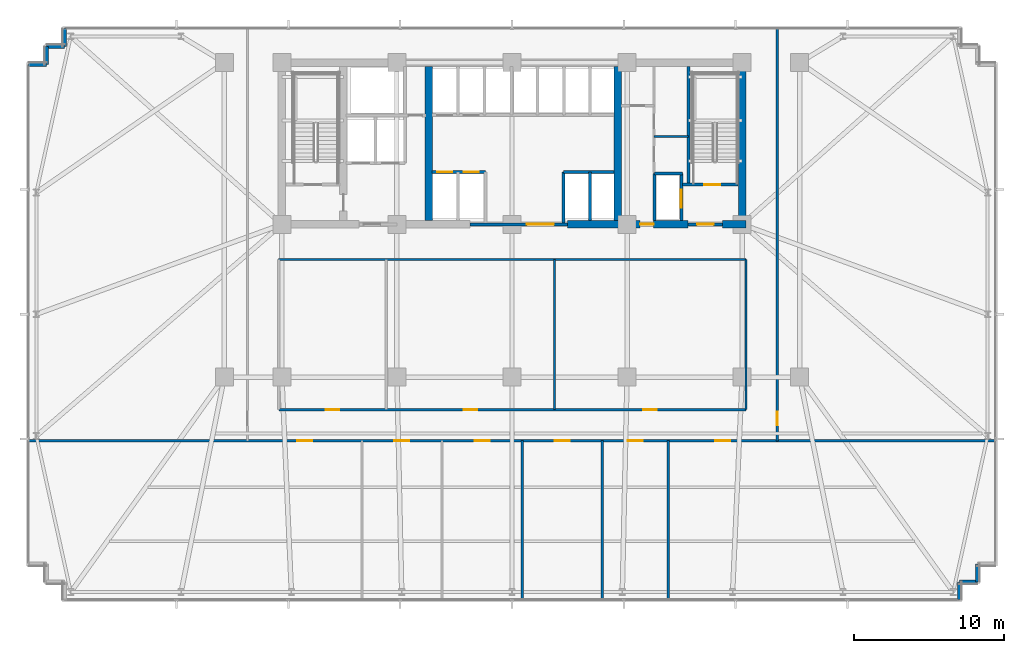
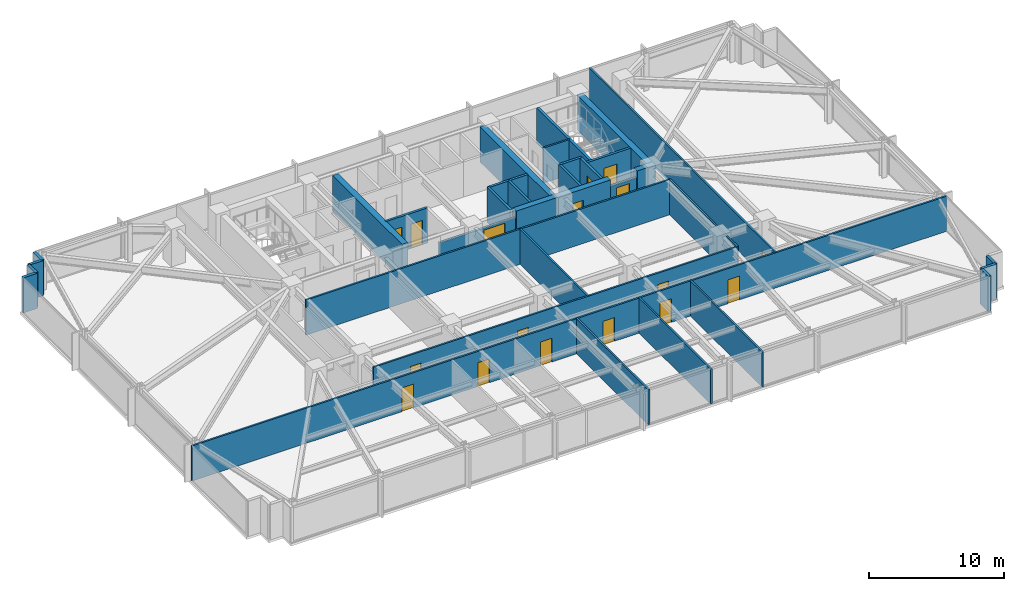
# One storey, part 25 of 32: 33 walls, 17 doors, 17 openings.
"""IFC4 building model written with IfcOpenShell, lengths in metres."""

import ifcopenshell
import ifcopenshell.guid

model = None  # the IFC model being written
_history = None  # IfcOwnerHistory: only IFC2X3 demands one
_inside = {}  # id of a spatial element -> (the spatial element, [elements in it])
_under = {}  # id of a project, library or spatial element -> (it, [spatial elements below it])
_declared = {}  # id of a project -> (the project, [libraries it declares])
_typed = {}  # id of a type object -> (the type object, [elements of that type])
_made_of = {}  # id of a material, layer set ... -> (it, [elements and type objects made of it])


def new_model(schema):
    """Start an empty IFC model of exactly this schema.

    Asked for "IFC4X3", IfcOpenShell would pick the latest addendum, in which some entities
    have other attributes; the version numbers below select the first issue.
    IFC2X3 requires an IfcOwnerHistory on every rooted entity: one is made here for all.
    """
    global model, _history
    if schema == "IFC4X3":
        model = ifcopenshell.file(schema_version=(4, 3, 0, 0))
    else:
        model = ifcopenshell.file(schema=schema)
    _inside.clear()
    _under.clear()
    _declared.clear()
    _typed.clear()
    _made_of.clear()
    _history = None
    if model.schema == "IFC2X3":
        org = make("IfcOrganization", Name="unknown")
        user = make(
            "IfcPersonAndOrganization",
            ThePerson=make("IfcPerson", FamilyName="unknown"),
            TheOrganization=org,
        )
        app = make(
            "IfcApplication",
            ApplicationDeveloper=org,
            Version="unknown",
            ApplicationFullName="unknown",
            ApplicationIdentifier="unknown",
        )
        _history = make(
            "IfcOwnerHistory",
            OwningUser=user,
            OwningApplication=app,
            ChangeAction="ADDED",
            CreationDate=0,
        )
    return model


def make(cls, **values):
    """One entity of the class cls with the attributes given. An attribute that is None is left unset."""
    return model.create_entity(
        cls, **{name: value for name, value in values.items() if value is not None}
    )


def rooted(cls, **values):
    """An entity with a GlobalId (a new one), such as an element, a storey or a relation."""
    return make(cls, GlobalId=ifcopenshell.guid.new(), OwnerHistory=_history, **values)


def si_unit(unit_type, name, prefix=None):
    """IfcSIUnit, for example si_unit("LENGTHUNIT", "METRE", prefix="MILLI")."""
    return make("IfcSIUnit", UnitType=unit_type, Prefix=prefix, Name=name)


def assignment(units):
    """IfcUnitAssignment: the units of a project."""
    return None if units is None else make("IfcUnitAssignment", Units=units)


def point(xyz):
    """IfcCartesianPoint."""
    return None if xyz is None else make("IfcCartesianPoint", Coordinates=xyz)


def direction(xyz):
    """IfcDirection."""
    return None if xyz is None else make("IfcDirection", DirectionRatios=xyz)


def frame(location, z_axis=None, x_axis=None):
    """IfcAxis2Placement3D, a coordinate frame: its origin and axes. An axis left out is left unset."""
    return make(
        "IfcAxis2Placement3D",
        Location=point(location),
        Axis=direction(z_axis),
        RefDirection=direction(x_axis),
    )


def frame_2d(location, x_axis=None):
    """IfcAxis2Placement2D, a coordinate frame in the plane: its origin and x axis."""
    return make(
        "IfcAxis2Placement2D", Location=point(location), RefDirection=direction(x_axis)
    )


def origin():
    """The frame at (0, 0, 0) with its axes left unset."""
    return frame((0.0, 0.0, 0.0))


def place(relative_to, where):
    """IfcLocalPlacement: puts the frame where relative to a parent placement (None: the world)."""
    return make(
        "IfcLocalPlacement", PlacementRelTo=relative_to, RelativePlacement=where
    )


def context(
    kind, dimensions, precision=None, world=None, true_north=None, identifier=None
):
    """IfcGeometricRepresentationContext, for example the 3D "Model" context."""
    return make(
        "IfcGeometricRepresentationContext",
        ContextIdentifier=identifier,
        ContextType=kind,
        CoordinateSpaceDimension=dimensions,
        Precision=precision,
        WorldCoordinateSystem=world,
        TrueNorth=true_north,
    )


def subcontext(parent, identifier, kind, view, scale=None):
    """IfcGeometricRepresentationSubContext, for example "Body" below "Model"."""
    return make(
        "IfcGeometricRepresentationSubContext",
        ContextIdentifier=identifier,
        ContextType=kind,
        ParentContext=parent,
        TargetScale=scale,
        TargetView=view,
    )


def project(units=None, contexts=None):
    """IfcProject with its units and contexts."""
    return rooted(
        "IfcProject",
        Name="project",
        RepresentationContexts=contexts,
        UnitsInContext=assignment(units),
    )


def spatial(cls, under=None, at=None, **own):
    """A site, building, storey or space (cls), placed at a placement, below another one or the project."""
    s = rooted(cls, ObjectPlacement=at, **own)
    if under is not None:
        _under.setdefault(under.id(), (under, []))[1].append(s)
    return s


def profile(cls, at=None, kind="AREA", **sizes):
    """A parametric profile (cls). Its sizes go by their IFC names, for example OverallWidth=200.0."""
    return make(cls, ProfileType=kind, Position=at, **sizes)


def rectangle(**sizes):
    """IfcRectangleProfileDef."""
    return profile("IfcRectangleProfileDef", **sizes)


def extrude(swept, where, along, depth):
    """IfcExtrudedAreaSolid: the profile swept, set in the frame where, extruded along a direction by depth."""
    return make(
        "IfcExtrudedAreaSolid",
        SweptArea=swept,
        Position=where,
        ExtrudedDirection=direction(along),
        Depth=depth,
    )


def shape(context_of_items, identifier, shape_type, items):
    """IfcShapeRepresentation: the items that make up one representation, for example the "Body"."""
    return make(
        "IfcShapeRepresentation",
        ContextOfItems=context_of_items,
        RepresentationIdentifier=identifier,
        RepresentationType=shape_type,
        Items=items,
    )


def material(Name=None, Category=None):
    """IfcMaterial."""
    return make("IfcMaterial", Name=Name, Category=Category)


def layer(
    of_material, thickness, ventilated=None, Name=None, Category=None, Priority=None
):
    """IfcMaterialLayer: one layer of a wall or slab, of a material (None: an air gap)."""
    return make(
        "IfcMaterialLayer",
        Material=of_material,
        LayerThickness=thickness,
        IsVentilated=ventilated,
        Name=Name,
        Category=Category,
        Priority=Priority,
    )


def layer_set(layers, Name=None):
    """IfcMaterialLayerSet."""
    return make("IfcMaterialLayerSet", MaterialLayers=layers, LayerSetName=Name)


def made_of(thing, what):
    """Note that an element or type object is made of a material, layer set ...; save() writes the relation."""
    if what is not None:
        _made_of.setdefault(what.id(), (what, []))[1].append(thing)
    return thing


def type_object(cls, material=None, **own):
    """A type object (cls), such as IfcWallType, which elements share."""
    return made_of(rooted(cls, **own), material)


def element(
    cls,
    number,
    at=None,
    inside=None,
    cuts=None,
    type_object=None,
    material=None,
    context=None,
    identifier="Body",
    shape_type=None,
    held_by="IfcProductDefinitionShape",
    body=None,
    shapes=None,
    **own,
):
    """One element of the class cls, such as IfcWall. Its Tag is "e" and its number.

    at: its placement. inside: the storey or other place that contains it. cuts: it is an
    opening in that element (IfcRelVoidsElement). A single representation is given by context,
    identifier, shape_type and body (its items); several are given by shapes. held_by: the class
    of the entity that holds the representations. save() writes the other relations.
    """
    e = rooted(cls, Tag="e%d" % number, ObjectPlacement=at, **own)
    if body is not None:
        shapes = [shape(context, identifier, shape_type, body)]
    if shapes is not None:
        e.Representation = make(held_by, Representations=shapes)
    if inside is not None:
        _inside.setdefault(inside.id(), (inside, []))[1].append(e)
    if cuts is not None:
        rooted(
            "IfcRelVoidsElement", RelatingBuildingElement=cuts, RelatedOpeningElement=e
        )
    if type_object is not None:
        _typed.setdefault(type_object.id(), (type_object, []))[1].append(e)
    return made_of(e, material)


def fill(opening, filler):
    """IfcRelFillsElement: the door or window that sits in an opening."""
    return rooted(
        "IfcRelFillsElement",
        RelatingOpeningElement=opening,
        RelatedBuildingElement=filler,
    )


def aggregate(whole, parts):
    """IfcRelAggregates: a whole, such as a stair, and the parts it consists of."""
    return rooted("IfcRelAggregates", RelatingObject=whole, RelatedObjects=parts)


def save(model, path):
    """Write the relations noted so far, then the file.

    IfcRelAggregates (storeys below a building ...), IfcRelContainedInSpatialStructure (elements
    in a storey), IfcRelDefinesByType, IfcRelAssociatesMaterial and IfcRelDeclares: one each for
    every whole, place, type object, material and project.
    """
    for whole, parts in _under.values():
        aggregate(whole, parts)
    for where, things in _inside.values():
        rooted(
            "IfcRelContainedInSpatialStructure",
            RelatedElements=things,
            RelatingStructure=where,
        )
    for kind, things in _typed.values():
        rooted("IfcRelDefinesByType", RelatedObjects=things, RelatingType=kind)
    for what, things in _made_of.values():
        rooted("IfcRelAssociatesMaterial", RelatedObjects=things, RelatingMaterial=what)
    for by, libraries in _declared.values():
        rooted("IfcRelDeclares", RelatingContext=by, RelatedDefinitions=libraries)
    model.write(path)


model = new_model("IFC4")

# Units and contexts
model_context = context("Model", 3, precision=1e-05, world=origin(), true_north=direction((0.0, 1.0)))
body_context = subcontext(model_context, "Body", "Model", "MODEL_VIEW")
ifc_project = project(units=[si_unit("LENGTHUNIT", "METRE"), si_unit("AREAUNIT", "SQUARE_METRE"), si_unit("VOLUMEUNIT", "CUBIC_METRE"), si_unit("PLANEANGLEUNIT", "RADIAN"), si_unit("MASSUNIT", "GRAM", prefix="KILO")], contexts=[model_context])

# Site, building, storey
site_placement = place(None, origin())
site = spatial("IfcSite", under=ifc_project, at=site_placement, CompositionType="ELEMENT")
building_placement = place(site_placement, origin())
building = spatial("IfcBuilding", under=site, at=building_placement, Name="Yelkora Congress Tower", CompositionType="ELEMENT")
storey_placement = place(building_placement, frame((0.0, 0.0, 44.0)))
storey = spatial("IfcBuildingStorey", under=building, at=storey_placement, Name="L10", CompositionType="ELEMENT", Elevation=44.0)

# Wall
ifc_material_1 = material(Name="Concrete C50/60", Category="concrete")
ifc_layer_1 = layer(ifc_material_1, 0.219970703125)
ifc_layer_set_1 = layer_set([ifc_layer_1], Name="Concrete C50/60")
wall_type_1 = type_object("IfcWallType", Name="WALL-CORE-INT-220", PredefinedType="SHEAR", material=ifc_layer_set_1)
wall_1_placement = place(storey_placement, frame((50.179931640625, 38.050048828125, 0.0), z_axis=(0.0, 0.0, 1.0), x_axis=(0.0, 1.0, 0.0)))
element("IfcWall", 1, at=wall_1_placement, inside=storey, type_object=wall_type_1, Name="L10 ST02 West Stair Shear Wall", PredefinedType="SHEAR", context=body_context, shape_type="SweptSolid", body=[
    extrude(rectangle(XDim=7.89990234375, YDim=0.219970703125, at=frame_2d((3.949951171875, 0.0))), origin(), (0.0, 0.0, 1.0), 3.179931640625),
])

# Wall, opening, door
ifc_material_2 = material(Name="Concrete C60/75", Category="concrete")
ifc_layer_2 = layer(ifc_material_2, 0.5)
ifc_layer_set_2 = layer_set([ifc_layer_2], Name="Concrete C60/75")
wall_type_2 = type_object("IfcWallType", Name="WALL-CORE-INT-500", PredefinedType="SHEAR", material=ifc_layer_set_2)
wall_2_placement = place(storey_placement, frame((42.10009765625, 35.39990234375, 0.0), z_axis=(0.0, 0.0, 1.0), x_axis=(1.0, 0.0, 0.0)))
wall_2 = element("IfcWall", 2, at=wall_2_placement, inside=storey, type_object=wall_type_2, Name="L10 Rear Core South-East Shear Wall A", PredefinedType="SHEAR", context=body_context, shape_type="SweptSolid", body=[
    extrude(rectangle(XDim=8.0498046875, YDim=0.5, at=frame_2d((4.02490234375, 0.0))), origin(), (0.0, 0.0, 1.0), 3.179931640625),
])
opening_1_placement = place(wall_2_placement, frame((4.85009765625, 0.0, 0.0)))
opening_1 = element("IfcOpeningElement", 3, at=opening_1_placement, cuts=wall_2, Name="Opening DR-090F6", PredefinedType="OPENING", context=body_context, shape_type="SweptSolid", body=[
    extrude(rectangle(XDim=0.89990234375, YDim=2.14990234375, at=frame_2d((0.449951171875, 1.074951171875))), frame((0.0, 0.260009765625, 0.0), z_axis=(0.0, -1.0, 0.0), x_axis=(1.0, 0.0, 0.0)), (0.0, 0.0, 1.0), 0.52001953125),
])
ifc_material_3 = material(Name="Painted steel riser fire door leaf", Category="steel")
door_type_1 = type_object("IfcDoorType", Name="DOOR-FD60-900", OperationType="NOTDEFINED", PredefinedType="DOOR", material=ifc_material_3)
door_1_placement = place(opening_1_placement, origin())
door_1 = element("IfcDoor", 4, at=door_1_placement, inside=storey, type_object=door_type_1, Name="L10 Core Washroom Lobby Door", OperationType="SINGLE_SWING_RIGHT", OverallHeight=2.14990234375, OverallWidth=0.89990234375, PredefinedType="DOOR", context=body_context, shape_type="SweptSolid", body=[
    extrude(rectangle(XDim=0.89990234375, YDim=2.14990234375, at=frame_2d((0.449951171875, 1.074951171875))), frame((0.0, 0.02490234375, 0.0), z_axis=(0.0, -1.0, 0.0), x_axis=(1.0, 0.0, 0.0)), (0.0, 0.0, 1.0), 0.050048828125),
])
fill(opening_1, door_1)

# Walls
wall_3_placement = place(storey_placement, frame((52.449951171875, 35.39990234375, 0.0), z_axis=(0.0, 0.0, 1.0), x_axis=(1.0, 0.0, 0.0)))
element("IfcWall", 5, at=wall_3_placement, inside=storey, type_object=wall_type_2, Name="L10 Rear Core South-East Shear Wall B", PredefinedType="SHEAR", context=body_context, shape_type="SweptSolid", body=[
    extrude(rectangle(XDim=1.56005859375, YDim=0.5, at=frame_2d((0.780029296875, 0.0))), origin(), (0.0, 0.0, 1.0), 3.179931640625),
])
for number, where, z_axis, x_axis, name in (
    (6, (32.85009765625, 35.64990234375, 0.0), (0.0, 0.0, 1.0), (0.0, 1.0, 0.0), "L10 Rear Core Cross Shear Wall C2"),
    (7, (45.449951171875, 35.64990234375, 0.0), (0.0, 0.0, 1.0), (0.0, 1.0, 0.0), "L10 Rear Core Cross Shear Wall C3"),
    (8, (53.760009765625, 35.64990234375, 0.0), (0.0, 0.0, 1.0), (0.0, 1.0, 0.0), "L10 Rear Core Cross Shear Wall E"),
):
    element("IfcWall", number, at=place(storey_placement, frame(where, z_axis=z_axis, x_axis=x_axis)), inside=storey, type_object=wall_type_2, Name=name, PredefinedType="SHEAR", context=body_context, shape_type="SweptSolid", body=[
        extrude(rectangle(XDim=10.300048828125, YDim=0.5, at=frame_2d((5.14990234375, 0.0))), origin(), (0.0, 0.0, 1.0), 3.179931640625),
    ])
ifc_material_4 = material(Name="Concrete C40/50", Category="concrete")
ifc_layer_3 = layer(ifc_material_4, 0.239990234375)
ifc_layer_set_3 = layer_set([ifc_layer_3], Name="Concrete C40/50")
wall_type_3 = type_object("IfcWallType", Name="WALL-EXT-LIMESTONE-240", PredefinedType="SOLIDWALL", material=ifc_layer_set_3)
wall_4_placement = place(storey_placement, frame((6.139892578125, 46.06005859375, 0.0), z_axis=(0.0, 0.0, 1.0), x_axis=(1.0, 0.0, 0.0)))
element("IfcWall", 9, at=wall_4_placement, inside=storey, type_object=wall_type_3, Name="L10 Serrated Corner Limestone Pier 6", PredefinedType="SOLIDWALL", context=body_context, shape_type="SweptSolid", body=[
    extrude(rectangle(XDim=1.2001953125, YDim=0.239990234375, at=frame_2d((0.60009765625, 0.0))), origin(), (0.0, 0.0, 1.0), 3.179931640625),
])
for number, where, z_axis, x_axis, name in (
    (10, (7.340087890625, 46.06005859375, 0.0), (0.0, 0.0, 1.0), (0.0, 1.0, 0.0), "L10 Serrated Corner Limestone Pier 7"),
    (11, (7.340087890625, 47.260009765625, 0.0), (0.0, 0.0, 1.0), (1.0, 0.0, 0.0), "L10 Serrated Corner Limestone Pier 8"),
    (12, (8.5400390625, 47.260009765625, 0.0), (0.0, 0.0, 1.0), (0.0, 1.0, 0.0), "L10 Serrated Corner Limestone Pier 9"),
    (13, (69.4599609375, 12.739990234375, 0.0), (0.0, 0.0, 1.0), (0.0, -1.0, 0.0), "L10 Serrated Corner Limestone Pier 17"),
    (14, (69.4599609375, 11.5400390625, 0.0), (0.0, 0.0, 1.0), (-1.0, 0.0, 0.0), "L10 Serrated Corner Limestone Pier 18"),
    (15, (68.260009765625, 11.5400390625, 0.0), (0.0, 0.0, 1.0), (0.0, -1.0, 0.0), "L10 Serrated Corner Limestone Pier 19"),
):
    element("IfcWall", number, at=place(storey_placement, frame(where, z_axis=z_axis, x_axis=x_axis)), inside=storey, type_object=wall_type_3, Name=name, PredefinedType="SOLIDWALL", context=body_context, shape_type="SweptSolid", body=[
        extrude(rectangle(XDim=1.199951171875, YDim=0.239990234375, at=frame_2d((0.60009765625, 0.0))), origin(), (0.0, 0.0, 1.0), 3.179931640625),
    ])
ifc_material_5 = material(Name="Acoustic metal-stud gypsum partition", Category="gypsum")
ifc_layer_4 = layer(ifc_material_5, 0.14990234375)
ifc_layer_set_4 = layer_set([ifc_layer_4], Name="Acoustic metal-stud gypsum partition")
wall_type_4 = type_object("IfcWallType", Name="WALL-INT-150-NR", PredefinedType="PARTITIONING", material=ifc_layer_set_4)
wall_5_placement = place(storey_placement, frame((47.8798828125, 41.260009765625, 0.0), z_axis=(0.0, 0.0, 1.0), x_axis=(1.0, 0.0, 0.0)))
element("IfcWall", 16, at=wall_5_placement, inside=storey, type_object=wall_type_4, Name="L10 Partition Wall 29", PredefinedType="PARTITIONING", context=body_context, shape_type="SweptSolid", body=[
    extrude(rectangle(XDim=2.300048828125, YDim=0.14990234375, at=frame_2d((1.14990234375, 0.0))), origin(), (0.0, 0.0, 1.0), 3.179931640625),
])
for number, where, z_axis, x_axis, name in (
    (17, (39.075927734375, 10.280029296875, 0.0), (0.0, 0.0, 1.0), (0.0, 1.0, 0.0), "L10 Partition Wall 33"),
    (18, (44.422119140625, 10.280029296875, 0.0), (0.0, 0.0, 1.0), (0.0, 1.0, 0.0), "L10 Partition Wall 34"),
    (19, (48.824951171875, 10.280029296875, 0.0), (0.0, 0.0, 1.0), (0.0, 1.0, 0.0), "L10 Partition Wall 35"),
):
    element("IfcWall", number, at=place(storey_placement, frame(where, z_axis=z_axis, x_axis=x_axis)), inside=storey, type_object=wall_type_4, Name=name, PredefinedType="PARTITIONING", context=body_context, shape_type="SweptSolid", body=[
        extrude(rectangle(XDim=10.68994140625, YDim=0.14990234375, at=frame_2d((5.344970703125, 0.0))), origin(), (0.0, 0.0, 1.0), 3.179931640625),
    ])

# Wall, openings, doors
wall_6_placement = place(storey_placement, frame((6.080078125, 20.949951171875, 0.0), z_axis=(0.0, 0.0, 1.0), x_axis=(1.0, 0.0, 0.0)))
wall_6 = element("IfcWall", 20, at=wall_6_placement, inside=storey, type_object=wall_type_4, Name="L10 South Spine Wall", PredefinedType="PARTITIONING", context=body_context, shape_type="SweptSolid", body=[
    extrude(rectangle(XDim=64.639892578125, YDim=0.14990234375, at=frame_2d((32.31982421875, 0.0))), origin(), (0.0, 0.0, 1.0), 3.179931640625),
])
opening_2_placement = place(wall_6_placement, frame((17.986572265625, 0.0, 0.0)))
opening_2 = element("IfcOpeningElement", 21, at=opening_2_placement, cuts=wall_6, Name="Opening DR-100N", PredefinedType="OPENING", context=body_context, shape_type="SweptSolid", body=[
    extrude(rectangle(XDim=1.0, YDim=2.14990234375, at=frame_2d((0.5, 1.074951171875))), frame((0.0, 0.0849609375, 0.0), z_axis=(0.0, -1.0, 0.0), x_axis=(1.0, 0.0, 0.0)), (0.0, 0.0, 1.0), 0.169921875),
])
opening_3_placement = place(wall_6_placement, frame((24.4765625, 0.0, 0.0)))
opening_3 = element("IfcOpeningElement", 22, at=opening_3_placement, cuts=wall_6, Name="Opening DR-100N", PredefinedType="OPENING", context=body_context, shape_type="SweptSolid", body=[
    extrude(rectangle(XDim=1.0, YDim=2.14990234375, at=frame_2d((0.5, 1.074951171875))), frame((0.0, 0.0849609375, 0.0), z_axis=(0.0, -1.0, 0.0), x_axis=(1.0, 0.0, 0.0)), (0.0, 0.0, 1.0), 0.169921875),
])
opening_4_placement = place(wall_6_placement, frame((29.822998046875, 0.0, 0.0)))
opening_4 = element("IfcOpeningElement", 23, at=opening_4_placement, cuts=wall_6, Name="Opening DR-100N", PredefinedType="OPENING", context=body_context, shape_type="SweptSolid", body=[
    extrude(rectangle(XDim=1.0, YDim=2.14990234375, at=frame_2d((0.5, 1.074951171875))), frame((0.0, 0.0849609375, 0.0), z_axis=(0.0, -1.0, 0.0), x_axis=(1.0, 0.0, 0.0)), (0.0, 0.0, 1.0), 0.169921875),
])
opening_5_placement = place(wall_6_placement, frame((35.1689453125, 0.0, 0.0)))
opening_5 = element("IfcOpeningElement", 24, at=opening_5_placement, cuts=wall_6, Name="Opening DR-100N", PredefinedType="OPENING", context=body_context, shape_type="SweptSolid", body=[
    extrude(rectangle(XDim=1.0, YDim=2.14990234375, at=frame_2d((0.5, 1.074951171875))), frame((0.0, 0.0849609375, 0.0), z_axis=(0.0, -1.0, 0.0), x_axis=(1.0, 0.0, 0.0)), (0.0, 0.0, 1.0), 0.169921875),
])
opening_6_placement = place(wall_6_placement, frame((40.04345703125, 0.0, 0.0)))
opening_6 = element("IfcOpeningElement", 25, at=opening_6_placement, cuts=wall_6, Name="Opening DR-100N", PredefinedType="OPENING", context=body_context, shape_type="SweptSolid", body=[
    extrude(rectangle(XDim=1.0, YDim=2.14990234375, at=frame_2d((0.5, 1.074951171875))), frame((0.0, 0.0849609375, 0.0), z_axis=(0.0, -1.0, 0.0), x_axis=(1.0, 0.0, 0.0)), (0.0, 0.0, 1.0), 0.169921875),
])
opening_7_placement = place(wall_6_placement, frame((45.882568359375, 0.0, 0.0)))
opening_7 = element("IfcOpeningElement", 26, at=opening_7_placement, cuts=wall_6, Name="Opening DR-100N", PredefinedType="OPENING", context=body_context, shape_type="SweptSolid", body=[
    extrude(rectangle(XDim=1.0, YDim=2.14990234375, at=frame_2d((0.5, 1.074951171875))), frame((0.0, 0.0849609375, 0.0), z_axis=(0.0, -1.0, 0.0), x_axis=(1.0, 0.0, 0.0)), (0.0, 0.0, 1.0), 0.169921875),
])
ifc_material_6 = material(Name="Solid-core Anatolian oak veneer door", Category="wood")
door_type_2 = type_object("IfcDoorType", Name="DOOR-INT-1000", OperationType="NOTDEFINED", PredefinedType="DOOR", material=ifc_material_6)
door_2_placement = place(opening_2_placement, origin())
door_2 = element("IfcDoor", 27, at=door_2_placement, inside=storey, type_object=door_type_2, Name="L10 Pantry & Servery Door", OperationType="SINGLE_SWING_LEFT", OverallHeight=2.14990234375, OverallWidth=1.0, PredefinedType="DOOR", context=body_context, shape_type="SweptSolid", body=[
    extrude(rectangle(XDim=1.0, YDim=2.14990234375, at=frame_2d((0.5, 1.074951171875))), frame((0.0, 0.02490234375, 0.0), z_axis=(0.0, -1.0, 0.0), x_axis=(1.0, 0.0, 0.0)), (0.0, 0.0, 1.0), 0.050048828125),
])
fill(opening_2, door_2)
door_3_placement = place(opening_3_placement, origin())
door_3 = element("IfcDoor", 28, at=door_3_placement, inside=storey, type_object=door_type_2, Name="L10 Open-Plan Office Door", OperationType="SINGLE_SWING_RIGHT", OverallHeight=2.14990234375, OverallWidth=1.0, PredefinedType="DOOR", context=body_context, shape_type="SweptSolid", body=[
    extrude(rectangle(XDim=1.0, YDim=2.14990234375, at=frame_2d((0.5, 1.074951171875))), frame((0.0, 0.02490234375, 0.0), z_axis=(0.0, -1.0, 0.0), x_axis=(1.0, 0.0, 0.0)), (0.0, 0.0, 1.0), 0.050048828125),
])
fill(opening_3, door_3)
door_4_placement = place(opening_4_placement, origin())
door_4 = element("IfcDoor", 29, at=door_4_placement, inside=storey, type_object=door_type_2, Name="L10 Wellness Study Room Door", OperationType="SINGLE_SWING_LEFT", OverallHeight=2.14990234375, OverallWidth=1.0, PredefinedType="DOOR", context=body_context, shape_type="SweptSolid", body=[
    extrude(rectangle(XDim=1.0, YDim=2.14990234375, at=frame_2d((0.5, 1.074951171875))), frame((0.0, 0.02490234375, 0.0), z_axis=(0.0, -1.0, 0.0), x_axis=(1.0, 0.0, 0.0)), (0.0, 0.0, 1.0), 0.050048828125),
])
fill(opening_4, door_4)
door_5_placement = place(opening_5_placement, origin())
door_5 = element("IfcDoor", 30, at=door_5_placement, inside=storey, type_object=door_type_2, Name="L10 Store Print Door", OperationType="SINGLE_SWING_RIGHT", OverallHeight=2.14990234375, OverallWidth=1.0, PredefinedType="DOOR", context=body_context, shape_type="SweptSolid", body=[
    extrude(rectangle(XDim=1.0, YDim=2.14990234375, at=frame_2d((0.5, 1.074951171875))), frame((0.0, 0.02490234375, 0.0), z_axis=(0.0, -1.0, 0.0), x_axis=(1.0, 0.0, 0.0)), (0.0, 0.0, 1.0), 0.050048828125),
])
fill(opening_5, door_5)
door_6_placement = place(opening_6_placement, origin())
door_6 = element("IfcDoor", 31, at=door_6_placement, inside=storey, type_object=door_type_2, Name="L10 Conference Boardroom Door", OperationType="SINGLE_SWING_LEFT", OverallHeight=2.14990234375, OverallWidth=1.0, PredefinedType="DOOR", context=body_context, shape_type="SweptSolid", body=[
    extrude(rectangle(XDim=1.0, YDim=2.14990234375, at=frame_2d((0.5, 1.074951171875))), frame((0.0, 0.02490234375, 0.0), z_axis=(0.0, -1.0, 0.0), x_axis=(1.0, 0.0, 0.0)), (0.0, 0.0, 1.0), 0.050048828125),
])
fill(opening_6, door_6)
door_7_placement = place(opening_7_placement, origin())
door_7 = element("IfcDoor", 32, at=door_7_placement, inside=storey, type_object=door_type_2, Name="L10 Conference Boardroom Door", OperationType="SINGLE_SWING_RIGHT", OverallHeight=2.14990234375, OverallWidth=1.0, PredefinedType="DOOR", context=body_context, shape_type="SweptSolid", body=[
    extrude(rectangle(XDim=1.0, YDim=2.14990234375, at=frame_2d((0.5, 1.074951171875))), frame((0.0, 0.02490234375, 0.0), z_axis=(0.0, -1.0, 0.0), x_axis=(1.0, 0.0, 0.0)), (0.0, 0.0, 1.0), 0.050048828125),
])
fill(opening_7, door_7)

# Wall, opening, door
wall_7_placement = place(storey_placement, frame((56.10009765625, 20.949951171875, 0.0), z_axis=(0.0, 0.0, 1.0), x_axis=(0.0, 1.0, 0.0)))
wall_7 = element("IfcWall", 33, at=wall_7_placement, inside=storey, type_object=wall_type_4, Name="L10 Partition Wall 38", PredefinedType="PARTITIONING", context=body_context, shape_type="SweptSolid", body=[
    extrude(rectangle(XDim=27.570068359375, YDim=0.14990234375, at=frame_2d((13.78515625, 0.0))), origin(), (0.0, 0.0, 1.0), 3.179931640625),
])
opening_8_placement = place(wall_7_placement, frame((1.030029296875, 0.0, 0.0)))
opening_8 = element("IfcOpeningElement", 34, at=opening_8_placement, cuts=wall_7, Name="Opening DR-090N", PredefinedType="OPENING", context=body_context, shape_type="SweptSolid", body=[
    extrude(rectangle(XDim=0.89990234375, YDim=2.14990234375, at=frame_2d((0.449951171875, 1.074951171875))), frame((0.0, 0.0849609375, 0.0), z_axis=(0.0, -1.0, 0.0), x_axis=(1.0, 0.0, 0.0)), (0.0, 0.0, 1.0), 0.169921875),
])
ifc_material_7 = material(Name="Moisture-resistant laminate door leaf", Category="wood")
door_type_3 = type_object("IfcDoorType", Name="DOOR-INT-900", OperationType="NOTDEFINED", PredefinedType="DOOR", material=ifc_material_7)
door_8_placement = place(opening_8_placement, origin())
door_8 = element("IfcDoor", 35, at=door_8_placement, inside=storey, type_object=door_type_3, Name="L10 E Wing Door", OperationType="SINGLE_SWING_RIGHT", OverallHeight=2.14990234375, OverallWidth=0.89990234375, PredefinedType="DOOR", context=body_context, shape_type="SweptSolid", body=[
    extrude(rectangle(XDim=0.89990234375, YDim=2.14990234375, at=frame_2d((0.449951171875, 1.074951171875))), frame((0.0, 0.02490234375, 0.0), z_axis=(0.0, -1.0, 0.0), x_axis=(1.0, 0.0, 0.0)), (0.0, 0.0, 1.0), 0.050048828125),
])
fill(opening_8, door_8)

# Walls
wall_8_placement = place(storey_placement, frame((54.02001953125, 23.030029296875, 0.0), z_axis=(0.0, 0.0, 1.0), x_axis=(0.0, 1.0, 0.0)))
element("IfcWall", 36, at=wall_8_placement, inside=storey, type_object=wall_type_4, Name="L10 Partition Wall 40", PredefinedType="PARTITIONING", context=body_context, shape_type="SweptSolid", body=[
    extrude(rectangle(XDim=10.02001953125, YDim=0.14990234375, at=frame_2d((5.010009765625, 0.0))), origin(), (0.0, 0.0, 1.0), 3.179931640625),
])
wall_9_placement = place(storey_placement, frame((22.830078125, 33.050048828125, 0.0), z_axis=(0.0, 0.0, 1.0), x_axis=(1.0, 0.0, 0.0)))
element("IfcWall", 37, at=wall_9_placement, inside=storey, type_object=wall_type_4, Name="L10 Partition Wall 41", PredefinedType="PARTITIONING", context=body_context, shape_type="SweptSolid", body=[
    extrude(rectangle(XDim=31.18994140625, YDim=0.14990234375, at=frame_2d((15.594970703125, 0.0))), origin(), (0.0, 0.0, 1.0), 3.179931640625),
])
wall_10_placement = place(storey_placement, frame((41.22998046875, 23.030029296875, 0.0), z_axis=(0.0, 0.0, 1.0), x_axis=(0.0, 1.0, 0.0)))
element("IfcWall", 38, at=wall_10_placement, inside=storey, type_object=wall_type_4, Name="L10 Partition Wall 43", PredefinedType="PARTITIONING", context=body_context, shape_type="SweptSolid", body=[
    extrude(rectangle(XDim=10.02001953125, YDim=0.14990234375, at=frame_2d((5.010009765625, 0.0))), origin(), (0.0, 0.0, 1.0), 3.179931640625),
])

# Wall, openings, doors
wall_11_placement = place(storey_placement, frame((22.840087890625, 23.030029296875, 0.0), z_axis=(0.0, 0.0, 1.0), x_axis=(1.0, 0.0, 0.0)))
wall_11 = element("IfcWall", 39, at=wall_11_placement, inside=storey, type_object=wall_type_4, Name="L10 Partition Wall 44", PredefinedType="PARTITIONING", context=body_context, shape_type="SweptSolid", body=[
    extrude(rectangle(XDim=31.169921875, YDim=0.14990234375, at=frame_2d((15.5849609375, 0.0))), origin(), (0.0, 0.0, 1.0), 3.179931640625),
])
opening_9_placement = place(wall_11_placement, frame((3.134521484375, 0.0, 0.0)))
opening_9 = element("IfcOpeningElement", 40, at=opening_9_placement, cuts=wall_11, Name="Opening DR-090N", PredefinedType="OPENING", context=body_context, shape_type="SweptSolid", body=[
    extrude(rectangle(XDim=0.89990234375, YDim=2.14990234375, at=frame_2d((0.449951171875, 1.074951171875))), frame((0.0, 0.0849609375, 0.0), z_axis=(0.0, -1.0, 0.0), x_axis=(1.0, 0.0, 0.0)), (0.0, 0.0, 1.0), 0.169921875),
])
opening_10_placement = place(wall_11_placement, frame((12.32958984375, 0.0, 0.0)))
opening_10 = element("IfcOpeningElement", 41, at=opening_10_placement, cuts=wall_11, Name="Opening DR-090N", PredefinedType="OPENING", context=body_context, shape_type="SweptSolid", body=[
    extrude(rectangle(XDim=0.89990234375, YDim=2.14990234375, at=frame_2d((0.449951171875, 1.074951171875))), frame((0.0, 0.0849609375, 0.0), z_axis=(0.0, -1.0, 0.0), x_axis=(1.0, 0.0, 0.0)), (0.0, 0.0, 1.0), 0.169921875),
])
opening_11_placement = place(wall_11_placement, frame((24.330078125, 0.0, 0.0)))
opening_11 = element("IfcOpeningElement", 42, at=opening_11_placement, cuts=wall_11, Name="Opening DR-090N", PredefinedType="OPENING", context=body_context, shape_type="SweptSolid", body=[
    extrude(rectangle(XDim=0.89990234375, YDim=2.14990234375, at=frame_2d((0.449951171875, 1.074951171875))), frame((0.0, 0.0849609375, 0.0), z_axis=(0.0, -1.0, 0.0), x_axis=(1.0, 0.0, 0.0)), (0.0, 0.0, 1.0), 0.169921875),
])
door_9_placement = place(opening_9_placement, origin())
door_9 = element("IfcDoor", 43, at=door_9_placement, inside=storey, type_object=door_type_3, Name="L10 Executive Boardroom Door", OperationType="SINGLE_SWING_LEFT", OverallHeight=2.14990234375, OverallWidth=0.89990234375, PredefinedType="DOOR", context=body_context, shape_type="SweptSolid", body=[
    extrude(rectangle(XDim=0.89990234375, YDim=2.14990234375, at=frame_2d((0.449951171875, 1.074951171875))), frame((0.0, 0.02490234375, 0.0), z_axis=(0.0, -1.0, 0.0), x_axis=(1.0, 0.0, 0.0)), (0.0, 0.0, 1.0), 0.050048828125),
])
fill(opening_9, door_9)
door_10_placement = place(opening_10_placement, origin())
door_10 = element("IfcDoor", 44, at=door_10_placement, inside=storey, type_object=door_type_3, Name="L10 Huddle Seminar Room Door", OperationType="SINGLE_SWING_RIGHT", OverallHeight=2.14990234375, OverallWidth=0.89990234375, PredefinedType="DOOR", context=body_context, shape_type="SweptSolid", body=[
    extrude(rectangle(XDim=0.89990234375, YDim=2.14990234375, at=frame_2d((0.449951171875, 1.074951171875))), frame((0.0, 0.02490234375, 0.0), z_axis=(0.0, -1.0, 0.0), x_axis=(1.0, 0.0, 0.0)), (0.0, 0.0, 1.0), 0.050048828125),
])
fill(opening_10, door_10)
door_11_placement = place(opening_11_placement, origin())
door_11 = element("IfcDoor", 45, at=door_11_placement, inside=storey, type_object=door_type_3, Name="L10 Breakout Training Room Door", OperationType="SINGLE_SWING_LEFT", OverallHeight=2.14990234375, OverallWidth=0.89990234375, PredefinedType="DOOR", context=body_context, shape_type="SweptSolid", body=[
    extrude(rectangle(XDim=0.89990234375, YDim=2.14990234375, at=frame_2d((0.449951171875, 1.074951171875))), frame((0.0, 0.02490234375, 0.0), z_axis=(0.0, -1.0, 0.0), x_axis=(1.0, 0.0, 0.0)), (0.0, 0.0, 1.0), 0.050048828125),
])
fill(opening_11, door_11)

# Wall, opening, door
ifc_material_8 = material(Name="Autoclaved aerated concrete blockwork", Category="masonry")
ifc_layer_5 = layer(ifc_material_8, 0.199951171875)
ifc_layer_set_5 = layer_set([ifc_layer_5], Name="Autoclaved aerated concrete blockwork")
wall_type_5 = type_object("IfcWallType", Name="WALL-INT-200-R120", PredefinedType="PARTITIONING", material=ifc_layer_set_5)
wall_12_placement = place(storey_placement, frame((35.60009765625, 35.39990234375, 0.0), z_axis=(0.0, 0.0, 1.0), x_axis=(1.0, 0.0, 0.0)))
wall_12 = element("IfcWall", 46, at=wall_12_placement, inside=storey, type_object=wall_type_5, Name="L10 Main Lift Lobby South Portal Wall", PredefinedType="PARTITIONING", context=body_context, shape_type="SweptSolid", body=[
    extrude(rectangle(XDim=6.5, YDim=0.199951171875, at=frame_2d((3.25, 0.0))), origin(), (0.0, 0.0, 1.0), 2.47509765625),
])
opening_12_placement = place(wall_12_placement, frame((3.800048828125, 0.0, 0.0)))
opening_12 = element("IfcOpeningElement", 47, at=opening_12_placement, cuts=wall_12, Name="Opening DR-180D", PredefinedType="OPENING", context=body_context, shape_type="SweptSolid", body=[
    extrude(rectangle(XDim=1.800048828125, YDim=2.300048828125, at=frame_2d((0.89990234375, 1.14990234375))), frame((0.0, 0.10986328125, 0.0), z_axis=(0.0, -1.0, 0.0), x_axis=(1.0, 0.0, 0.0)), (0.0, 0.0, 1.0), 0.219970703125),
])
ifc_material_9 = material(Name="Acoustic double congress hall doors", Category="wood")
door_type_4 = type_object("IfcDoorType", Name="DOOR-DBL-1800", OperationType="DOUBLE_DOOR_SINGLE_SWING", PredefinedType="DOOR", material=ifc_material_9)
door_12_placement = place(opening_12_placement, origin())
door_12 = element("IfcDoor", 48, at=door_12_placement, inside=storey, type_object=door_type_4, Name="L10 Main Lift Lobby Portal Door", OperationType="DOUBLE_DOOR_SINGLE_SWING", OverallHeight=2.300048828125, OverallWidth=1.800048828125, PredefinedType="DOOR", context=body_context, shape_type="SweptSolid", body=[
    extrude(rectangle(XDim=1.800048828125, YDim=2.300048828125, at=frame_2d((0.89990234375, 1.14990234375))), frame((0.0, 0.02490234375, 0.0), z_axis=(0.0, -1.0, 0.0), x_axis=(1.0, 0.0, 0.0)), (0.0, 0.0, 1.0), 0.050048828125),
])
fill(opening_12, door_12)

# Wall, openings, doors
wall_13_placement = place(storey_placement, frame((33.050048828125, 38.89990234375, 0.0), z_axis=(0.0, 0.0, 1.0), x_axis=(1.0, 0.0, 0.0)))
wall_13 = element("IfcWall", 49, at=wall_13_placement, inside=storey, type_object=wall_type_5, Name="L10 Partition Wall 11", PredefinedType="PARTITIONING", context=body_context, shape_type="SweptSolid", body=[
    extrude(rectangle(XDim=3.570068359375, YDim=0.199951171875, at=frame_2d((1.78515625, 0.0))), origin(), (0.0, 0.0, 1.0), 3.179931640625),
])
opening_13_placement = place(wall_13_placement, frame((0.375, 0.0, 0.0)))
opening_13 = element("IfcOpeningElement", 50, at=opening_13_placement, cuts=wall_13, Name="Opening LD-PS10", PredefinedType="OPENING", context=body_context, shape_type="SweptSolid", body=[
    extrude(rectangle(XDim=1.0, YDim=2.199951171875, at=frame_2d((0.5, 1.10009765625))), frame((0.0, 0.10986328125, 0.0), z_axis=(0.0, -1.0, 0.0), x_axis=(1.0, 0.0, 0.0)), (0.0, 0.0, 1.0), 0.219970703125),
])
opening_14_placement = place(wall_13_placement, frame((2.125, 0.0, 0.0)))
opening_14 = element("IfcOpeningElement", 51, at=opening_14_placement, cuts=wall_13, Name="Opening LD-PS10", PredefinedType="OPENING", context=body_context, shape_type="SweptSolid", body=[
    extrude(rectangle(XDim=1.0, YDim=2.199951171875, at=frame_2d((0.5, 1.10009765625))), frame((0.0, 0.10986328125, 0.0), z_axis=(0.0, -1.0, 0.0), x_axis=(1.0, 0.0, 0.0)), (0.0, 0.0, 1.0), 0.219970703125),
])
ifc_material_10 = material(Name="Champagne stainless steel landing door", Category="steel")
door_type_5 = type_object("IfcDoorType", Name="DOOR-LIFT-PAS-1000", OperationType="DOUBLE_DOOR_SLIDING", PredefinedType="DOOR", material=ifc_material_10)
door_13_placement = place(opening_13_placement, origin())
door_13 = element("IfcDoor", 52, at=door_13_placement, inside=storey, type_object=door_type_5, Name="Lift Landing Door LF-P1 L10", OperationType="DOUBLE_DOOR_SLIDING", OverallHeight=2.199951171875, OverallWidth=1.0, PredefinedType="DOOR", context=body_context, shape_type="SweptSolid", body=[
    extrude(rectangle(XDim=1.0, YDim=2.199951171875, at=frame_2d((0.5, 1.10009765625))), frame((0.0, 0.02490234375, 0.0), z_axis=(0.0, -1.0, 0.0), x_axis=(1.0, 0.0, 0.0)), (0.0, 0.0, 1.0), 0.050048828125),
])
fill(opening_13, door_13)
door_14_placement = place(opening_14_placement, origin())
door_14 = element("IfcDoor", 53, at=door_14_placement, inside=storey, type_object=door_type_5, Name="Lift Landing Door LF-P2 L10", OperationType="DOUBLE_DOOR_SLIDING", OverallHeight=2.199951171875, OverallWidth=1.0, PredefinedType="DOOR", context=body_context, shape_type="SweptSolid", body=[
    extrude(rectangle(XDim=1.0, YDim=2.199951171875, at=frame_2d((0.5, 1.10009765625))), frame((0.0, 0.02490234375, 0.0), z_axis=(0.0, -1.0, 0.0), x_axis=(1.0, 0.0, 0.0)), (0.0, 0.0, 1.0), 0.050048828125),
])
fill(opening_14, door_14)

# Walls
wall_14_placement = place(storey_placement, frame((41.85009765625, 38.89990234375, 0.0), z_axis=(0.0, 0.0, 1.0), x_axis=(1.0, 0.0, 0.0)))
element("IfcWall", 54, at=wall_14_placement, inside=storey, type_object=wall_type_5, Name="L10 Partition Wall 17", PredefinedType="PARTITIONING", context=body_context, shape_type="SweptSolid", body=[
    extrude(rectangle(XDim=3.369873046875, YDim=0.199951171875, at=frame_2d((1.68505859375, 0.0))), origin(), (0.0, 0.0, 1.0), 3.179931640625),
])
wall_15_placement = place(storey_placement, frame((43.60009765625, 35.64990234375, 0.0), z_axis=(0.0, 0.0, 1.0), x_axis=(0.0, 1.0, 0.0)))
element("IfcWall", 55, at=wall_15_placement, inside=storey, type_object=wall_type_5, Name="L10 Partition Wall 19", PredefinedType="PARTITIONING", context=body_context, shape_type="SweptSolid", body=[
    extrude(rectangle(XDim=3.25, YDim=0.199951171875, at=frame_2d((1.625, 0.0))), origin(), (0.0, 0.0, 1.0), 3.179931640625),
])
wall_16_placement = place(storey_placement, frame((41.85009765625, 35.5, 0.0), z_axis=(0.0, 0.0, 1.0), x_axis=(0.0, 1.0, 0.0)))
element("IfcWall", 56, at=wall_16_placement, inside=storey, type_object=wall_type_5, Name="L10 Partition Wall 21", PredefinedType="PARTITIONING", context=body_context, shape_type="SweptSolid", body=[
    extrude(rectangle(XDim=3.39990234375, YDim=0.199951171875, at=frame_2d((1.699951171875, 0.0))), origin(), (0.0, 0.0, 1.0), 3.179931640625),
])

# Wall, opening, door
wall_17_placement = place(storey_placement, frame((49.780029296875, 38.050048828125, 0.0), z_axis=(0.0, 0.0, 1.0), x_axis=(1.0, 0.0, 0.0)))
wall_17 = element("IfcWall", 57, at=wall_17_placement, inside=storey, type_object=wall_type_5, Name="L10 Stair ST-02 Enclosure Wall", PredefinedType="PARTITIONING", context=body_context, shape_type="SweptSolid", body=[
    extrude(rectangle(XDim=3.719970703125, YDim=0.199951171875, at=frame_2d((1.85986328125, 0.0))), origin(), (0.0, 0.0, 1.0), 3.179931640625),
])
opening_15_placement = place(wall_17_placement, frame((1.436279296875, 0.0, 0.0)))
opening_15 = element("IfcOpeningElement", 58, at=opening_15_placement, cuts=wall_17, Name="Opening DR-110F9", PredefinedType="OPENING", context=body_context, shape_type="SweptSolid", body=[
    extrude(rectangle(XDim=1.10009765625, YDim=2.14990234375, at=frame_2d((0.550048828125, 1.074951171875))), frame((0.0, 0.10986328125, 0.0), z_axis=(0.0, -1.0, 0.0), x_axis=(1.0, 0.0, 0.0)), (0.0, 0.0, 1.0), 0.219970703125),
])
ifc_material_11 = material(Name="Galvanised steel fire door leaf", Category="steel")
door_type_6 = type_object("IfcDoorType", Name="DOOR-FD90-1100", OperationType="NOTDEFINED", PredefinedType="DOOR", material=ifc_material_11)
door_15_placement = place(opening_15_placement, origin())
door_15 = element("IfcDoor", 59, at=door_15_placement, inside=storey, type_object=door_type_6, Name="L10 Stair ST-02 Entry Door", OperationType="SINGLE_SWING_LEFT", OverallHeight=2.14990234375, OverallWidth=1.10009765625, PredefinedType="DOOR", context=body_context, shape_type="SweptSolid", body=[
    extrude(rectangle(XDim=1.10009765625, YDim=2.14990234375, at=frame_2d((0.550048828125, 1.074951171875))), frame((0.0, 0.02490234375, 0.0), z_axis=(0.0, -1.0, 0.0), x_axis=(1.0, 0.0, 0.0)), (0.0, 0.0, 1.0), 0.050048828125),
])
fill(opening_15, door_15)

wall_18_placement = place(storey_placement, frame((50.14990234375, 35.39990234375, 0.0), z_axis=(0.0, 0.0, 1.0), x_axis=(1.0, 0.0, 0.0)))
wall_18 = element("IfcWall", 60, at=wall_18_placement, inside=storey, type_object=wall_type_5, Name="L10 Partition Wall 24", PredefinedType="PARTITIONING", context=body_context, shape_type="SweptSolid", body=[
    extrude(rectangle(XDim=2.300048828125, YDim=0.199951171875, at=frame_2d((1.14990234375, 0.0))), origin(), (0.0, 0.0, 1.0), 2.47509765625),
])
opening_16_placement = place(wall_18_placement, frame((0.60009765625, 0.0, 0.0)))
opening_16 = element("IfcOpeningElement", 61, at=opening_16_placement, cuts=wall_18, Name="Opening DR-110F9", PredefinedType="OPENING", context=body_context, shape_type="SweptSolid", body=[
    extrude(rectangle(XDim=1.10009765625, YDim=2.14990234375, at=frame_2d((0.550048828125, 1.074951171875))), frame((0.0, 0.10986328125, 0.0), z_axis=(0.0, -1.0, 0.0), x_axis=(1.0, 0.0, 0.0)), (0.0, 0.0, 1.0), 0.219970703125),
])
door_16_placement = place(opening_16_placement, origin())
door_16 = element("IfcDoor", 62, at=door_16_placement, inside=storey, type_object=door_type_6, Name="L10 East Stair Lobby Door", OperationType="SINGLE_SWING_RIGHT", OverallHeight=2.14990234375, OverallWidth=1.10009765625, PredefinedType="DOOR", context=body_context, shape_type="SweptSolid", body=[
    extrude(rectangle(XDim=1.10009765625, YDim=2.14990234375, at=frame_2d((0.550048828125, 1.074951171875))), frame((0.0, 0.02490234375, 0.0), z_axis=(0.0, -1.0, 0.0), x_axis=(1.0, 0.0, 0.0)), (0.0, 0.0, 1.0), 0.050048828125),
])
fill(opening_16, door_16)

wall_19_placement = place(storey_placement, frame((49.699951171875, 35.64990234375, 0.0), z_axis=(0.0, 0.0, 1.0), x_axis=(0.0, 1.0, 0.0)))
wall_19 = element("IfcWall", 63, at=wall_19_placement, inside=storey, type_object=wall_type_5, Name="L10 Partition Wall 25", PredefinedType="PARTITIONING", context=body_context, shape_type="SweptSolid", body=[
    extrude(rectangle(XDim=3.150146484375, YDim=0.199951171875, at=frame_2d((1.5751953125, 0.0))), origin(), (0.0, 0.0, 1.0), 3.179931640625),
])
opening_17_placement = place(wall_19_placement, frame((0.85009765625, 0.0, 0.0)))
opening_17 = element("IfcOpeningElement", 64, at=opening_17_placement, cuts=wall_19, Name="Opening LD-SV12", PredefinedType="OPENING", context=body_context, shape_type="SweptSolid", body=[
    extrude(rectangle(XDim=1.199951171875, YDim=2.199951171875, at=frame_2d((0.60009765625, 1.10009765625))), frame((0.0, 0.10986328125, 0.0), z_axis=(0.0, -1.0, 0.0), x_axis=(1.0, 0.0, 0.0)), (0.0, 0.0, 1.0), 0.219970703125),
])
ifc_material_12 = material(Name="Heavy-duty stainless steel landing door", Category="steel")
door_type_7 = type_object("IfcDoorType", Name="DOOR-LIFT-SRV-1200", OperationType="DOUBLE_DOOR_SLIDING", PredefinedType="DOOR", material=ifc_material_12)
door_17_placement = place(opening_17_placement, origin())
door_17 = element("IfcDoor", 65, at=door_17_placement, inside=storey, type_object=door_type_7, Name="Service Lift Landing Door LF-SV1 L10", OperationType="DOUBLE_DOOR_SLIDING", OverallHeight=2.199951171875, OverallWidth=1.199951171875, PredefinedType="DOOR", context=body_context, shape_type="SweptSolid", body=[
    extrude(rectangle(XDim=1.199951171875, YDim=2.199951171875, at=frame_2d((0.60009765625, 1.10009765625))), frame((0.0, 0.02490234375, 0.0), z_axis=(0.0, -1.0, 0.0), x_axis=(1.0, 0.0, 0.0)), (0.0, 0.0, 1.0), 0.050048828125),
])
fill(opening_17, door_17)

# Walls
wall_20_placement = place(storey_placement, frame((47.919921875, 35.64990234375, 0.0), z_axis=(0.0, 0.0, 1.0), x_axis=(0.0, 1.0, 0.0)))
element("IfcWall", 66, at=wall_20_placement, inside=storey, type_object=wall_type_5, Name="L10 Partition Wall 26", PredefinedType="PARTITIONING", context=body_context, shape_type="SweptSolid", body=[
    extrude(rectangle(XDim=3.150146484375, YDim=0.199951171875, at=frame_2d((1.5751953125, 0.0))), origin(), (0.0, 0.0, 1.0), 3.179931640625),
])
wall_21_placement = place(storey_placement, frame((47.919921875, 38.800048828125, 0.0), z_axis=(0.0, 0.0, 1.0), x_axis=(1.0, 0.0, 0.0)))
element("IfcWall", 67, at=wall_21_placement, inside=storey, type_object=wall_type_5, Name="L10 Partition Wall 27", PredefinedType="PARTITIONING", context=body_context, shape_type="SweptSolid", body=[
    extrude(rectangle(XDim=1.860107421875, YDim=0.199951171875, at=frame_2d((0.93017578125, 0.0))), origin(), (0.0, 0.0, 1.0), 3.179931640625),
])

save(model, "model.ifc")
